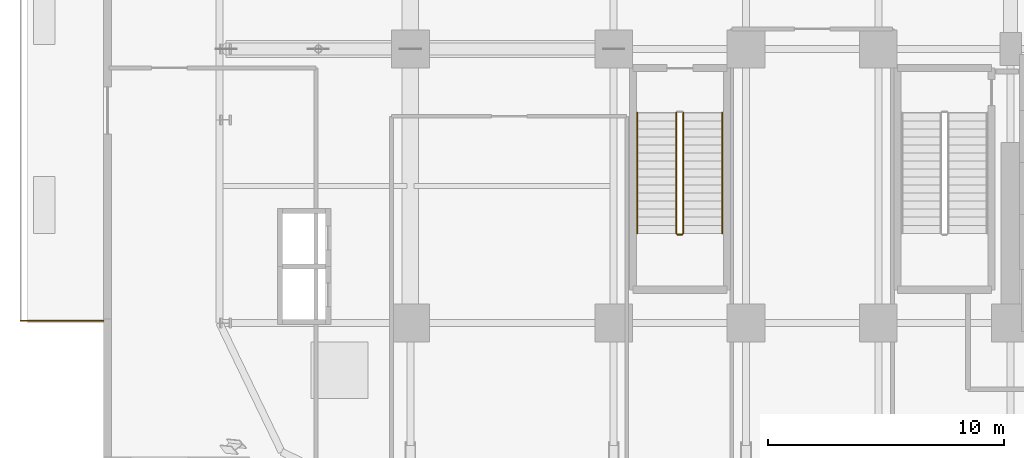
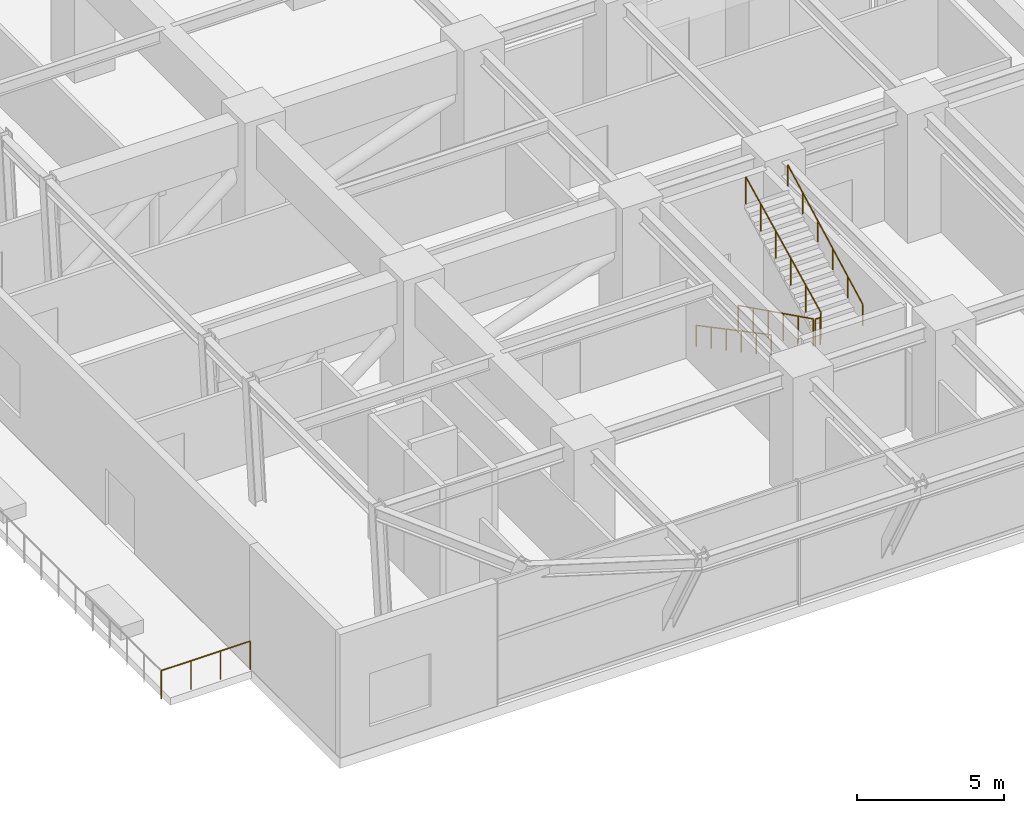
# One storey, part 24 of 29: 6 railings.
"""IFC4 building model written with IfcOpenShell, lengths in metres."""

from ifc_helpers import new_model, si_unit, direction, frame, origin, origin_2d, place, context, subcontext, project, spatial, circle, extrude, material, type_object, element, save


model = new_model("IFC4")

# Units and contexts
model_context = context("Model", 3, precision=1e-05, world=origin(), true_north=direction((0.0, 1.0)))
body_context = subcontext(model_context, "Body", "Model", "MODEL_VIEW")
ifc_project = project(units=[si_unit("LENGTHUNIT", "METRE"), si_unit("AREAUNIT", "SQUARE_METRE"), si_unit("VOLUMEUNIT", "CUBIC_METRE"), si_unit("PLANEANGLEUNIT", "RADIAN"), si_unit("MASSUNIT", "GRAM", prefix="KILO")], contexts=[model_context])

# Site, building, storey
site_placement = place(None, origin())
site = spatial("IfcSite", under=ifc_project, at=site_placement, CompositionType="ELEMENT")
building_placement = place(site_placement, origin())
building = spatial("IfcBuilding", under=site, at=building_placement, Name="Nahalor Promenade Grand Hotel", CompositionType="ELEMENT")
storey_placement = place(building_placement, frame((0.0, 0.0, 27.0)))
storey = spatial("IfcBuildingStorey", under=building, at=storey_placement, Name="L05", CompositionType="ELEMENT", Elevation=27.0)

# Railings
ifc_material_1 = material(Name="Anodised Bronze Aluminium EN AW-6063 T6", Category="aluminium")
railing_type_1 = type_object("IfcRailingType", Name="Bronze Balcony Guardrail 1200 mm", PredefinedType="GUARDRAIL", material=ifc_material_1)
railing_1_placement = place(storey_placement, frame((-30.0, -16.89990234375, 0.0)))
element("IfcRailing", 1, at=railing_1_placement, inside=storey, type_object=railing_type_1, Name="L05 Edge Guardrail RL-L05-TERR-W-1", PredefinedType="GUARDRAIL", context=body_context, shape_type="SweptSolid", body=[
    extrude(circle(Radius=0.024048, at=origin_2d()), frame((0.0, 0.0, 1.17578125), z_axis=(-1.0, 0.0, 0.0), x_axis=(0.0, -1.0, 0.0)), (0.0, 0.0, 1.0), 3.5),
    extrude(circle(Radius=0.020996, at=origin_2d()), origin(), (0.0, 0.0, 1.0), 1.14990234375),
    extrude(circle(Radius=0.020996, at=origin_2d()), frame((-1.166748046875, 0.0, 0.0)), (0.0, 0.0, 1.0), 1.14990234375),
    extrude(circle(Radius=0.020996, at=origin_2d()), frame((-2.333251953125, 0.0, 0.0)), (0.0, 0.0, 1.0), 1.14990234375),
    extrude(circle(Radius=0.020996, at=origin_2d()), frame((-3.5, 0.0, 0.0)), (0.0, 0.0, 1.0), 1.14990234375),
])
ifc_material_2 = material(Name="Steel S355JR", Category="steel")
railing_type_2 = type_object("IfcRailingType", Name="Steel Stair Guardrail 1150 mm", PredefinedType="GUARDRAIL", material=ifc_material_2)
railing_2_placement = place(storey_placement, frame((-5.75, -8.10009765625, 0.168701171875)))
element("IfcRailing", 2, at=railing_2_placement, inside=storey, type_object=railing_type_2, Name="L05 ST3 stair guard 1", PredefinedType="GUARDRAIL", context=body_context, shape_type="SweptSolid", body=[
    extrude(circle(Radius=0.024048, at=origin_2d()), frame((0.0, 0.0, 1.1259765625), z_axis=(0.0, -0.895735491292, 0.444587370086), x_axis=(1.0, 0.0, 0.0)), (0.0, 0.0, 1.0), 5.693603515625),
    extrude(circle(Radius=0.020996, at=origin_2d()), origin(), (0.0, 0.0, 1.0), 1.099853515625),
    extrude(circle(Radius=0.020996, at=origin_2d()), frame((0.0, -1.02001953125, 0.50634765625)), (0.0, 0.0, 1.0), 1.099853515625),
    extrude(circle(Radius=0.020996, at=origin_2d()), frame((0.0, -2.0400390625, 1.012451171875)), (0.0, 0.0, 1.0), 1.099853515625),
    extrude(circle(Radius=0.020996, at=origin_2d()), frame((0.0, -3.059814453125, 1.518798828125)), (0.0, 0.0, 1.0), 1.099853515625),
    extrude(circle(Radius=0.020996, at=origin_2d()), frame((0.0, -4.079833984375, 2.02490234375)), (0.0, 0.0, 1.0), 1.099853515625),
    extrude(circle(Radius=0.020996, at=origin_2d()), frame((0.0, -5.099853515625, 2.53125)), (0.0, 0.0, 1.0), 1.099853515625),
])
railing_3_placement = place(storey_placement, frame((-5.699951171875, -13.25, 2.699951171875)))
element("IfcRailing", 3, at=railing_3_placement, inside=storey, type_object=railing_type_2, Name="L05 ST3 stair guard 2", PredefinedType="GUARDRAIL", context=body_context, shape_type="SweptSolid", body=[
    extrude(circle(Radius=0.024048, at=origin_2d()), frame((0.0, 0.0, 1.1259765625), z_axis=(1.0, 0.0, 0.0), x_axis=(0.0, 1.0, 0.0)), (0.0, 0.0, 1.0), 0.199951171875),
    extrude(circle(Radius=0.020996, at=origin_2d()), origin(), (0.0, 0.0, 1.0), 1.099853515625),
    extrude(circle(Radius=0.020996, at=origin_2d()), frame((0.199951171875, 0.0, 0.0)), (0.0, 0.0, 1.0), 1.099853515625),
])
railing_4_placement = place(storey_placement, frame((-5.449951171875, -13.199951171875, 2.86865234375)))
element("IfcRailing", 4, at=railing_4_placement, inside=storey, type_object=railing_type_2, Name="L05 ST3 stair guard 3", PredefinedType="GUARDRAIL", context=body_context, shape_type="SweptSolid", body=[
    extrude(circle(Radius=0.024048, at=origin_2d()), frame((0.0, 0.0, 1.1259765625), z_axis=(0.0, 0.895735491292, 0.444587370086), x_axis=(-1.0, 0.0, 0.0)), (0.0, 0.0, 1.0), 5.693603515625),
    extrude(circle(Radius=0.020996, at=origin_2d()), origin(), (0.0, 0.0, 1.0), 1.099853515625),
    extrude(circle(Radius=0.020996, at=origin_2d()), frame((0.0, 1.02001953125, 0.50634765625)), (0.0, 0.0, 1.0), 1.099853515625),
    extrude(circle(Radius=0.020996, at=origin_2d()), frame((0.0, 2.0400390625, 1.012451171875)), (0.0, 0.0, 1.0), 1.099853515625),
    extrude(circle(Radius=0.020996, at=origin_2d()), frame((0.0, 3.059814453125, 1.518798828125)), (0.0, 0.0, 1.0), 1.099853515625),
    extrude(circle(Radius=0.020996, at=origin_2d()), frame((0.0, 4.079833984375, 2.02490234375)), (0.0, 0.0, 1.0), 1.099853515625),
    extrude(circle(Radius=0.020996, at=origin_2d()), frame((0.0, 5.099853515625, 2.53125)), (0.0, 0.0, 1.0), 1.099853515625),
])
railing_type_3 = type_object("IfcRailingType", Name="Steel Stair Handrail 900 mm", PredefinedType="HANDRAIL", material=ifc_material_2)
railing_5_placement = place(storey_placement, frame((-7.39990234375, -8.10009765625, 0.168701171875)))
element("IfcRailing", 5, at=railing_5_placement, inside=storey, type_object=railing_type_3, Name="L05 ST3 stair handrail 1", PredefinedType="HANDRAIL", context=body_context, shape_type="SweptSolid", body=[
    extrude(circle(Radius=0.024048, at=origin_2d()), frame((0.0, 0.0, 0.8759765625), z_axis=(0.0, -0.883785858079, 0.467891608238), x_axis=(1.0, 0.0, 0.0)), (0.0, 0.0, 1.0), 5.7705078125),
    extrude(circle(Radius=0.020996, at=origin_2d()), origin(), (0.0, 0.0, 1.0), 0.849853515625),
    extrude(circle(Radius=0.020996, at=origin_2d()), frame((0.0, -1.02001953125, 0.5400390625)), (0.0, 0.0, 1.0), 0.849853515625),
    extrude(circle(Radius=0.020996, at=origin_2d()), frame((0.0, -2.0400390625, 1.080078125)), (0.0, 0.0, 1.0), 0.849853515625),
    extrude(circle(Radius=0.020996, at=origin_2d()), frame((0.0, -3.059814453125, 1.619873046875)), (0.0, 0.0, 1.0), 0.849853515625),
    extrude(circle(Radius=0.020996, at=origin_2d()), frame((0.0, -4.079833984375, 2.159912109375)), (0.0, 0.0, 1.0), 0.849853515625),
    extrude(circle(Radius=0.020996, at=origin_2d()), frame((0.0, -5.099853515625, 2.699951171875)), (0.0, 0.0, 1.0), 0.849853515625),
])
railing_6_placement = place(storey_placement, frame((-3.800048828125, -13.199951171875, 2.86865234375)))
element("IfcRailing", 6, at=railing_6_placement, inside=storey, type_object=railing_type_3, Name="L05 ST3 stair handrail 2", PredefinedType="HANDRAIL", context=body_context, shape_type="SweptSolid", body=[
    extrude(circle(Radius=0.024048, at=origin_2d()), frame((0.0, 0.0, 0.8759765625), z_axis=(0.0, 0.883768362495, 0.467924653607), x_axis=(-1.0, 0.0, 0.0)), (0.0, 0.0, 1.0), 5.7705078125),
    extrude(circle(Radius=0.020996, at=origin_2d()), origin(), (0.0, 0.0, 1.0), 0.849853515625),
    extrude(circle(Radius=0.020996, at=origin_2d()), frame((0.0, 1.02001953125, 0.5400390625)), (0.0, 0.0, 1.0), 0.849853515625),
    extrude(circle(Radius=0.020996, at=origin_2d()), frame((0.0, 2.0400390625, 1.080078125)), (0.0, 0.0, 1.0), 0.849853515625),
    extrude(circle(Radius=0.020996, at=origin_2d()), frame((0.0, 3.059814453125, 1.6201171875)), (0.0, 0.0, 1.0), 0.849853515625),
    extrude(circle(Radius=0.020996, at=origin_2d()), frame((0.0, 4.079833984375, 2.16015625)), (0.0, 0.0, 1.0), 0.849853515625),
    extrude(circle(Radius=0.020996, at=origin_2d()), frame((0.0, 5.099853515625, 2.7001953125)), (0.0, 0.0, 1.0), 0.849853515625),
])

save(model, "model.ifc")
